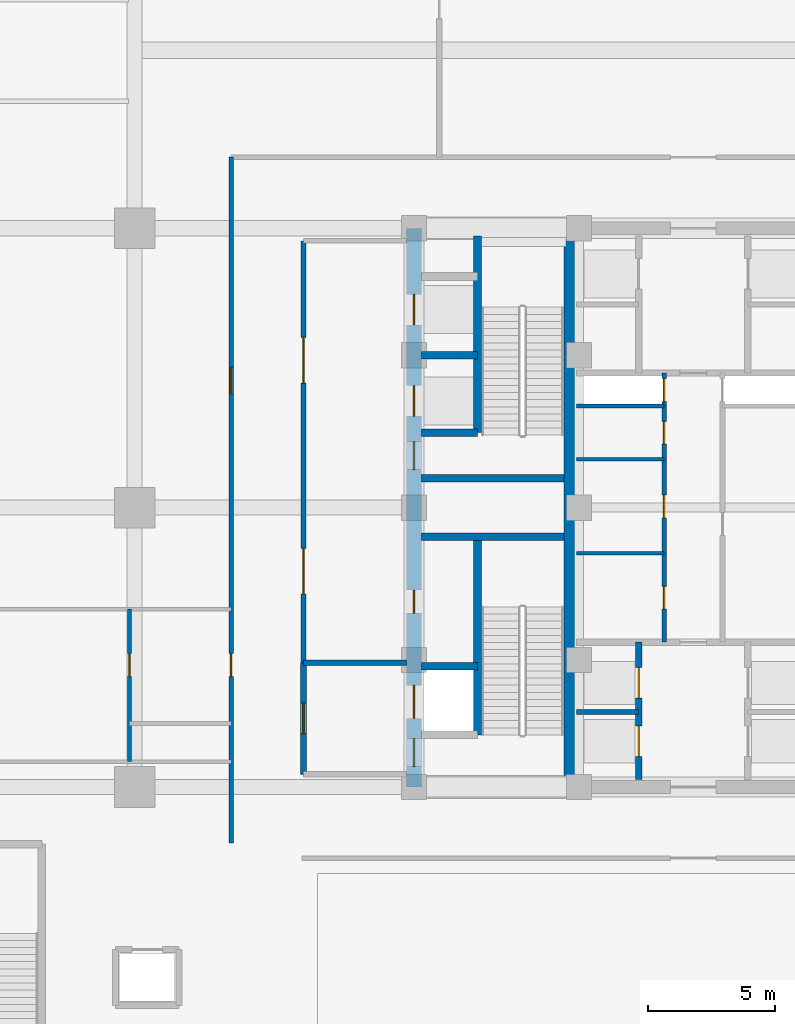
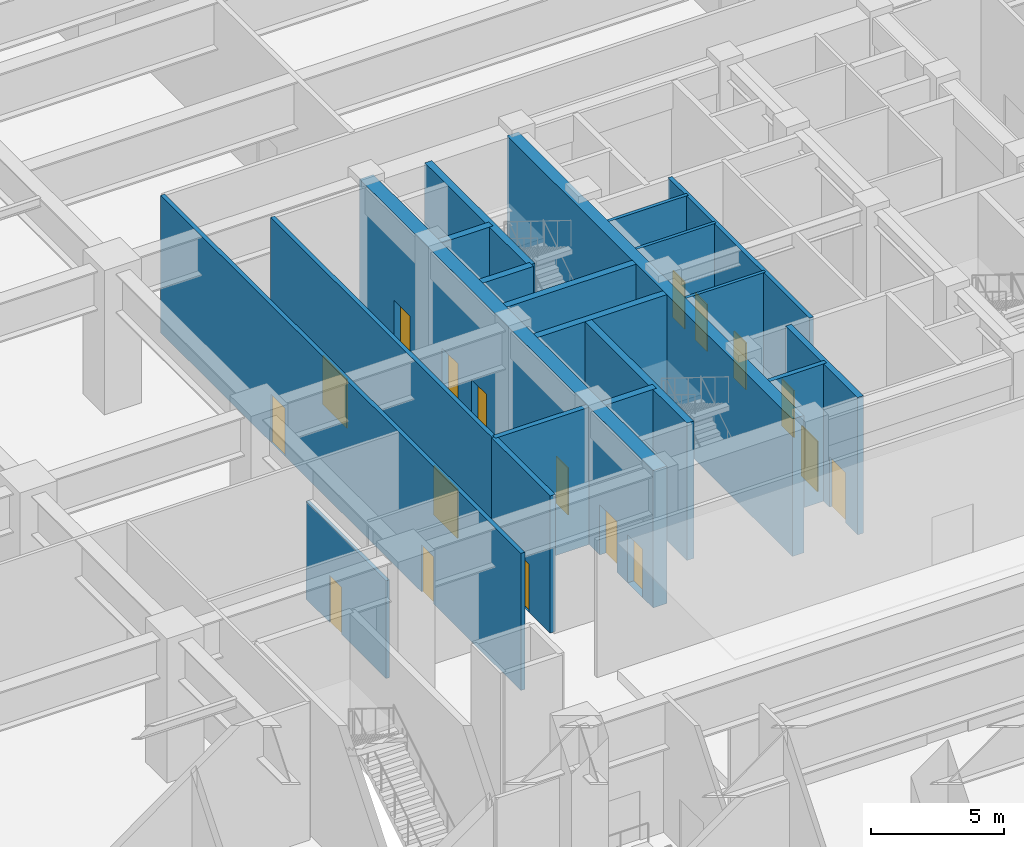
# One storey, part 9 of 21: 20 walls, 18 doors, 18 openings.
"""IFC4 building model written with IfcOpenShell, lengths in metres."""

import ifcopenshell
import ifcopenshell.guid

model = None  # the IFC model being written
_history = None  # IfcOwnerHistory: only IFC2X3 demands one
_inside = {}  # id of a spatial element -> (the spatial element, [elements in it])
_under = {}  # id of a project, library or spatial element -> (it, [spatial elements below it])
_declared = {}  # id of a project -> (the project, [libraries it declares])
_typed = {}  # id of a type object -> (the type object, [elements of that type])
_made_of = {}  # id of a material, layer set ... -> (it, [elements and type objects made of it])


def new_model(schema):
    """Start an empty IFC model of exactly this schema.

    Asked for "IFC4X3", IfcOpenShell would pick the latest addendum, in which some entities
    have other attributes; the version numbers below select the first issue.
    IFC2X3 requires an IfcOwnerHistory on every rooted entity: one is made here for all.
    """
    global model, _history
    if schema == "IFC4X3":
        model = ifcopenshell.file(schema_version=(4, 3, 0, 0))
    else:
        model = ifcopenshell.file(schema=schema)
    _inside.clear()
    _under.clear()
    _declared.clear()
    _typed.clear()
    _made_of.clear()
    _history = None
    if model.schema == "IFC2X3":
        org = make("IfcOrganization", Name="unknown")
        user = make(
            "IfcPersonAndOrganization",
            ThePerson=make("IfcPerson", FamilyName="unknown"),
            TheOrganization=org,
        )
        app = make(
            "IfcApplication",
            ApplicationDeveloper=org,
            Version="unknown",
            ApplicationFullName="unknown",
            ApplicationIdentifier="unknown",
        )
        _history = make(
            "IfcOwnerHistory",
            OwningUser=user,
            OwningApplication=app,
            ChangeAction="ADDED",
            CreationDate=0,
        )
    return model


def make(cls, **values):
    """One entity of the class cls with the attributes given. An attribute that is None is left unset."""
    return model.create_entity(
        cls, **{name: value for name, value in values.items() if value is not None}
    )


def rooted(cls, **values):
    """An entity with a GlobalId (a new one), such as an element, a storey or a relation."""
    return make(cls, GlobalId=ifcopenshell.guid.new(), OwnerHistory=_history, **values)


def si_unit(unit_type, name, prefix=None):
    """IfcSIUnit, for example si_unit("LENGTHUNIT", "METRE", prefix="MILLI")."""
    return make("IfcSIUnit", UnitType=unit_type, Prefix=prefix, Name=name)


def assignment(units):
    """IfcUnitAssignment: the units of a project."""
    return None if units is None else make("IfcUnitAssignment", Units=units)


def point(xyz):
    """IfcCartesianPoint."""
    return None if xyz is None else make("IfcCartesianPoint", Coordinates=xyz)


def direction(xyz):
    """IfcDirection."""
    return None if xyz is None else make("IfcDirection", DirectionRatios=xyz)


def frame(location, z_axis=None, x_axis=None):
    """IfcAxis2Placement3D, a coordinate frame: its origin and axes. An axis left out is left unset."""
    return make(
        "IfcAxis2Placement3D",
        Location=point(location),
        Axis=direction(z_axis),
        RefDirection=direction(x_axis),
    )


def frame_2d(location, x_axis=None):
    """IfcAxis2Placement2D, a coordinate frame in the plane: its origin and x axis."""
    return make(
        "IfcAxis2Placement2D", Location=point(location), RefDirection=direction(x_axis)
    )


def origin():
    """The frame at (0, 0, 0) with its axes left unset."""
    return frame((0.0, 0.0, 0.0))


def place(relative_to, where):
    """IfcLocalPlacement: puts the frame where relative to a parent placement (None: the world)."""
    return make(
        "IfcLocalPlacement", PlacementRelTo=relative_to, RelativePlacement=where
    )


def context(
    kind, dimensions, precision=None, world=None, true_north=None, identifier=None
):
    """IfcGeometricRepresentationContext, for example the 3D "Model" context."""
    return make(
        "IfcGeometricRepresentationContext",
        ContextIdentifier=identifier,
        ContextType=kind,
        CoordinateSpaceDimension=dimensions,
        Precision=precision,
        WorldCoordinateSystem=world,
        TrueNorth=true_north,
    )


def subcontext(parent, identifier, kind, view, scale=None):
    """IfcGeometricRepresentationSubContext, for example "Body" below "Model"."""
    return make(
        "IfcGeometricRepresentationSubContext",
        ContextIdentifier=identifier,
        ContextType=kind,
        ParentContext=parent,
        TargetScale=scale,
        TargetView=view,
    )


def project(units=None, contexts=None):
    """IfcProject with its units and contexts."""
    return rooted(
        "IfcProject",
        Name="project",
        RepresentationContexts=contexts,
        UnitsInContext=assignment(units),
    )


def spatial(cls, under=None, at=None, **own):
    """A site, building, storey or space (cls), placed at a placement, below another one or the project."""
    s = rooted(cls, ObjectPlacement=at, **own)
    if under is not None:
        _under.setdefault(under.id(), (under, []))[1].append(s)
    return s


def profile(cls, at=None, kind="AREA", **sizes):
    """A parametric profile (cls). Its sizes go by their IFC names, for example OverallWidth=200.0."""
    return make(cls, ProfileType=kind, Position=at, **sizes)


def rectangle(**sizes):
    """IfcRectangleProfileDef."""
    return profile("IfcRectangleProfileDef", **sizes)


def extrude(swept, where, along, depth):
    """IfcExtrudedAreaSolid: the profile swept, set in the frame where, extruded along a direction by depth."""
    return make(
        "IfcExtrudedAreaSolid",
        SweptArea=swept,
        Position=where,
        ExtrudedDirection=direction(along),
        Depth=depth,
    )


def shape(context_of_items, identifier, shape_type, items):
    """IfcShapeRepresentation: the items that make up one representation, for example the "Body"."""
    return make(
        "IfcShapeRepresentation",
        ContextOfItems=context_of_items,
        RepresentationIdentifier=identifier,
        RepresentationType=shape_type,
        Items=items,
    )


def source(mapping_origin, context_of_items, identifier, shape_type, items):
    """IfcRepresentationMap: a shape defined once, which mapped items show again and again."""
    return make(
        "IfcRepresentationMap",
        MappingOrigin=mapping_origin,
        MappedRepresentation=shape(context_of_items, identifier, shape_type, items),
    )


def transform(
    local_origin,
    x_axis=None,
    y_axis=None,
    z_axis=None,
    scale=None,
    scale2=None,
    scale3=None,
    uniform=True,
):
    """IfcCartesianTransformationOperator3D, or its non-uniform kind. x_axis, y_axis, z_axis: its Axis1, 2, 3."""
    if uniform:
        return make(
            "IfcCartesianTransformationOperator3D",
            Axis1=direction(x_axis),
            Axis2=direction(y_axis),
            LocalOrigin=point(local_origin),
            Scale=scale,
            Axis3=direction(z_axis),
        )
    return make(
        "IfcCartesianTransformationOperator3DnonUniform",
        Axis1=direction(x_axis),
        Axis2=direction(y_axis),
        LocalOrigin=point(local_origin),
        Scale=scale,
        Axis3=direction(z_axis),
        Scale2=scale2,
        Scale3=scale3,
    )


def mapped(mapping_source, mapping_target):
    """IfcMappedItem: shows the shape of a source again, moved by a transform."""
    return make(
        "IfcMappedItem", MappingSource=mapping_source, MappingTarget=mapping_target
    )


def material(Name=None, Category=None):
    """IfcMaterial."""
    return make("IfcMaterial", Name=Name, Category=Category)


def layer(
    of_material, thickness, ventilated=None, Name=None, Category=None, Priority=None
):
    """IfcMaterialLayer: one layer of a wall or slab, of a material (None: an air gap)."""
    return make(
        "IfcMaterialLayer",
        Material=of_material,
        LayerThickness=thickness,
        IsVentilated=ventilated,
        Name=Name,
        Category=Category,
        Priority=Priority,
    )


def layer_set(layers, Name=None):
    """IfcMaterialLayerSet."""
    return make("IfcMaterialLayerSet", MaterialLayers=layers, LayerSetName=Name)


def made_of(thing, what):
    """Note that an element or type object is made of a material, layer set ...; save() writes the relation."""
    if what is not None:
        _made_of.setdefault(what.id(), (what, []))[1].append(thing)
    return thing


def type_object(cls, material=None, **own):
    """A type object (cls), such as IfcWallType, which elements share."""
    return made_of(rooted(cls, **own), material)


def element(
    cls,
    number,
    at=None,
    inside=None,
    cuts=None,
    type_object=None,
    material=None,
    context=None,
    identifier="Body",
    shape_type=None,
    held_by="IfcProductDefinitionShape",
    body=None,
    shapes=None,
    **own,
):
    """One element of the class cls, such as IfcWall. Its Tag is "e" and its number.

    at: its placement. inside: the storey or other place that contains it. cuts: it is an
    opening in that element (IfcRelVoidsElement). A single representation is given by context,
    identifier, shape_type and body (its items); several are given by shapes. held_by: the class
    of the entity that holds the representations. save() writes the other relations.
    """
    e = rooted(cls, Tag="e%d" % number, ObjectPlacement=at, **own)
    if body is not None:
        shapes = [shape(context, identifier, shape_type, body)]
    if shapes is not None:
        e.Representation = make(held_by, Representations=shapes)
    if inside is not None:
        _inside.setdefault(inside.id(), (inside, []))[1].append(e)
    if cuts is not None:
        rooted(
            "IfcRelVoidsElement", RelatingBuildingElement=cuts, RelatedOpeningElement=e
        )
    if type_object is not None:
        _typed.setdefault(type_object.id(), (type_object, []))[1].append(e)
    return made_of(e, material)


def fill(opening, filler):
    """IfcRelFillsElement: the door or window that sits in an opening."""
    return rooted(
        "IfcRelFillsElement",
        RelatingOpeningElement=opening,
        RelatedBuildingElement=filler,
    )


def aggregate(whole, parts):
    """IfcRelAggregates: a whole, such as a stair, and the parts it consists of."""
    return rooted("IfcRelAggregates", RelatingObject=whole, RelatedObjects=parts)


def save(model, path):
    """Write the relations noted so far, then the file.

    IfcRelAggregates (storeys below a building ...), IfcRelContainedInSpatialStructure (elements
    in a storey), IfcRelDefinesByType, IfcRelAssociatesMaterial and IfcRelDeclares: one each for
    every whole, place, type object, material and project.
    """
    for whole, parts in _under.values():
        aggregate(whole, parts)
    for where, things in _inside.values():
        rooted(
            "IfcRelContainedInSpatialStructure",
            RelatedElements=things,
            RelatingStructure=where,
        )
    for kind, things in _typed.values():
        rooted("IfcRelDefinesByType", RelatedObjects=things, RelatingType=kind)
    for what, things in _made_of.values():
        rooted("IfcRelAssociatesMaterial", RelatedObjects=things, RelatingMaterial=what)
    for by, libraries in _declared.values():
        rooted("IfcRelDeclares", RelatingContext=by, RelatedDefinitions=libraries)
    model.write(path)


model = new_model("IFC4")

# Units and contexts
model_context = context("Model", 3, precision=1e-05, world=origin(), true_north=direction((0.0, 1.0)))
body_context = subcontext(model_context, "Body", "Model", "MODEL_VIEW")
ifc_project = project(units=[si_unit("LENGTHUNIT", "METRE"), si_unit("AREAUNIT", "SQUARE_METRE"), si_unit("VOLUMEUNIT", "CUBIC_METRE"), si_unit("PLANEANGLEUNIT", "RADIAN"), si_unit("MASSUNIT", "GRAM", prefix="KILO")], contexts=[model_context])

# Site, building, storey
site_placement = place(None, origin())
site = spatial("IfcSite", under=ifc_project, at=site_placement, CompositionType="ELEMENT")
building_placement = place(site_placement, origin())
building = spatial("IfcBuilding", under=site, at=building_placement, Name="Khorayat Bourse Tower", CompositionType="ELEMENT")
storey_placement = place(building_placement, origin())
storey = spatial("IfcBuildingStorey", under=building, at=storey_placement, Name="L00", CompositionType="ELEMENT", Elevation=0.0)

# Wall, openings, doors
ifc_material_1 = material(Name="Concrete C60/75", Category="concrete")
ifc_layer_1 = layer(ifc_material_1, 0.60009765625)
ifc_layer_set_1 = layer_set([ifc_layer_1], Name="Concrete C60/75")
wall_type_1 = type_object("IfcWallType", Name="WAL-CORE-600", PredefinedType="SHEAR", material=ifc_layer_set_1)
shared_shape_1 = source(origin(), body_context, "Body", "SweptSolid", [
    extrude(rectangle(XDim=22.0, YDim=0.60009765625, at=frame_2d((11.0, 0.0))), origin(), (0.0, 0.0, 1.0), 6.280029296875),
])
wall_1_placement = place(storey_placement, frame((-11.0, -11.0, 0.0), z_axis=(0.0, 0.0, 1.0), x_axis=(0.0, 1.0, 0.0)))
wall_1 = element("IfcWall", 1, at=wall_1_placement, inside=storey, type_object=wall_type_1, Name="L00 Core Shear Wall CORE-W", PredefinedType="SHEAR", context=body_context, shape_type="MappedRepresentation", body=[
    mapped(shared_shape_1, transform((0.0, 0.0, 0.0), scale=1.0)),
])
shared_shape_2 = source(origin(), body_context, "Body", "SweptSolid", [
    extrude(rectangle(XDim=1.10009765625, YDim=2.199951171875, at=frame_2d((0.550048828125, 1.10009765625))), frame((0.0, 0.31005859375, 0.0), z_axis=(0.0, -1.0, 0.0), x_axis=(1.0, 0.0, 0.0)), (0.0, 0.0, 1.0), 0.6201171875),
])
opening_1_placement = place(wall_1_placement, frame((0.800048828125, 0.0, 0.0)))
opening_1 = element("IfcOpeningElement", 2, at=opening_1_placement, cuts=wall_1, Name="Opening DI-01", PredefinedType="OPENING", context=body_context, shape_type="MappedRepresentation", body=[
    mapped(shared_shape_2, transform((0.0, 0.0, 0.0), scale=1.0)),
])
opening_2_placement = place(wall_1_placement, frame((12.5, 0.0, 0.0)))
opening_2 = element("IfcOpeningElement", 3, at=opening_2_placement, cuts=wall_1, Name="Opening DI-01", PredefinedType="OPENING", context=body_context, shape_type="MappedRepresentation", body=[
    mapped(shared_shape_2, transform((0.0, 0.0, 0.0), scale=1.0)),
])
shared_shape_3 = source(origin(), body_context, "Body", "SweptSolid", [
    extrude(rectangle(XDim=0.89990234375, YDim=2.14990234375, at=frame_2d((0.449951171875, 1.074951171875))), frame((0.0, 0.31005859375, 0.0), z_axis=(0.0, -1.0, 0.0), x_axis=(1.0, 0.0, 0.0)), (0.0, 0.0, 1.0), 0.6201171875),
])
opening_3_placement = place(wall_1_placement, frame((6.85009765625, 0.0, 0.0)))
opening_3 = element("IfcOpeningElement", 4, at=opening_3_placement, cuts=wall_1, Name="Opening DI-06", PredefinedType="OPENING", context=body_context, shape_type="MappedRepresentation", body=[
    mapped(shared_shape_3, transform((0.0, 0.0, 0.0), scale=1.0)),
])
shared_shape_4 = source(origin(), body_context, "Body", "SweptSolid", [
    extrude(rectangle(XDim=1.199951171875, YDim=2.300048828125, at=frame_2d((0.60009765625, 1.14990234375))), frame((0.0, 0.31005859375, 0.0), z_axis=(0.0, -1.0, 0.0), x_axis=(1.0, 0.0, 0.0)), (0.0, 0.0, 1.0), 0.6201171875),
])
opening_4_placement = place(wall_1_placement, frame((14.60009765625, 0.0, 0.0)))
opening_4 = element("IfcOpeningElement", 5, at=opening_4_placement, cuts=wall_1, Name="Opening LD-01", PredefinedType="OPENING", context=body_context, shape_type="MappedRepresentation", body=[
    mapped(shared_shape_4, transform((0.0, 0.0, 0.0), scale=1.0)),
])
opening_5_placement = place(wall_1_placement, frame((18.199951171875, 0.0, 0.0)))
opening_5 = element("IfcOpeningElement", 6, at=opening_5_placement, cuts=wall_1, Name="Opening LD-01", PredefinedType="OPENING", context=body_context, shape_type="MappedRepresentation", body=[
    mapped(shared_shape_4, transform((0.0, 0.0, 0.0), scale=1.0)),
])
shared_shape_5 = source(origin(), body_context, "Body", "SweptSolid", [
    extrude(rectangle(XDim=1.300048828125, YDim=2.300048828125, at=frame_2d((0.64990234375, 1.14990234375))), frame((0.0, 0.31005859375, 0.0), z_axis=(0.0, -1.0, 0.0), x_axis=(1.0, 0.0, 0.0)), (0.0, 0.0, 1.0), 0.6201171875),
])
opening_6_placement = place(wall_1_placement, frame((2.699951171875, 0.0, 0.0)))
opening_6 = element("IfcOpeningElement", 7, at=opening_6_placement, cuts=wall_1, Name="Opening LD-02", PredefinedType="OPENING", context=body_context, shape_type="MappedRepresentation", body=[
    mapped(shared_shape_5, transform((0.0, 0.0, 0.0), scale=1.0)),
])
ifc_material_2 = material(Name="Fire-rated steel acoustic leaf", Category="steel")
door_type_1 = type_object("IfcDoorType", Name="DR-INT-STAIR-1100", OperationType="NOTDEFINED", PredefinedType="DOOR", material=ifc_material_2)
shared_shape_6 = source(origin(), body_context, "Body", "SweptSolid", [
    extrude(rectangle(XDim=1.10009765625, YDim=2.199951171875, at=frame_2d((0.550048828125, 1.10009765625))), frame((0.0, 0.02490234375, 0.0), z_axis=(0.0, -1.0, 0.0), x_axis=(1.0, 0.0, 0.0)), (0.0, 0.0, 1.0), 0.050048828125),
])
door_1_placement = place(opening_1_placement, origin())
door_1 = element("IfcDoor", 8, at=door_1_placement, inside=storey, type_object=door_type_1, Name="L00 Exit Stair 1 Door", OperationType="SINGLE_SWING_LEFT", OverallHeight=2.199951171875, OverallWidth=1.10009765625, PredefinedType="DOOR", context=body_context, shape_type="MappedRepresentation", body=[
    mapped(shared_shape_6, transform((0.0, 0.0, 0.0), scale=1.0)),
])
fill(opening_1, door_1)
door_2_placement = place(opening_2_placement, origin())
door_2 = element("IfcDoor", 9, at=door_2_placement, inside=storey, type_object=door_type_1, Name="L00 Exit Stair 2 Door", OperationType="SINGLE_SWING_LEFT", OverallHeight=2.199951171875, OverallWidth=1.10009765625, PredefinedType="DOOR", context=body_context, shape_type="MappedRepresentation", body=[
    mapped(shared_shape_6, transform((0.0, 0.0, 0.0), scale=1.0)),
])
fill(opening_2, door_2)
ifc_material_3 = material(Name="Moisture-resistant laminate washroom door")
door_type_2 = type_object("IfcDoorType", Name="DR-INT-WC-900", OperationType="NOTDEFINED", PredefinedType="DOOR", material=ifc_material_3)
shared_shape_7 = source(origin(), body_context, "Body", "SweptSolid", [
    extrude(rectangle(XDim=0.89990234375, YDim=2.14990234375, at=frame_2d((0.449951171875, 1.074951171875))), frame((0.0, 0.02490234375, 0.0), z_axis=(0.0, -1.0, 0.0), x_axis=(1.0, 0.0, 0.0)), (0.0, 0.0, 1.0), 0.050048828125),
])
door_3_placement = place(opening_3_placement, origin())
door_3 = element("IfcDoor", 10, at=door_3_placement, inside=storey, type_object=door_type_2, Name="L00 Electrical Switch Plant Room Door", OperationType="SINGLE_SWING_RIGHT", OverallHeight=2.14990234375, OverallWidth=0.89990234375, PredefinedType="DOOR", context=body_context, shape_type="MappedRepresentation", body=[
    mapped(shared_shape_7, transform((0.0, 0.0, 0.0), scale=1.0)),
])
fill(opening_3, door_3)
ifc_material_4 = material(Name="Brushed bronze stainless-steel sliding door", Category="steel")
door_type_3 = type_object("IfcDoorType", Name="DR-LIFT-PASS-1200", OperationType="NOTDEFINED", PredefinedType="DOOR", material=ifc_material_4)
shared_shape_8 = source(origin(), body_context, "Body", "SweptSolid", [
    extrude(rectangle(XDim=1.199951171875, YDim=2.300048828125, at=frame_2d((0.60009765625, 1.14990234375))), frame((0.0, 0.02490234375, 0.0), z_axis=(0.0, -1.0, 0.0), x_axis=(1.0, 0.0, 0.0)), (0.0, 0.0, 1.0), 0.050048828125),
])
door_4_placement = place(opening_4_placement, origin())
door_4 = element("IfcDoor", 11, at=door_4_placement, inside=storey, type_object=door_type_3, Name="L00 Lift PL-H1 Sliding Landing Door", OperationType="SLIDING_TO_LEFT", OverallHeight=2.300048828125, OverallWidth=1.199951171875, PredefinedType="DOOR", context=body_context, shape_type="MappedRepresentation", body=[
    mapped(shared_shape_8, transform((0.0, 0.0, 0.0), scale=1.0)),
])
fill(opening_4, door_4)
door_5_placement = place(opening_5_placement, origin())
door_5 = element("IfcDoor", 12, at=door_5_placement, inside=storey, type_object=door_type_3, Name="L00 Lift PL-H2 Sliding Landing Door", OperationType="SLIDING_TO_LEFT", OverallHeight=2.300048828125, OverallWidth=1.199951171875, PredefinedType="DOOR", context=body_context, shape_type="MappedRepresentation", body=[
    mapped(shared_shape_8, transform((0.0, 0.0, 0.0), scale=1.0)),
])
fill(opening_5, door_5)
ifc_material_5 = material(Name="Fire-rated stainless-steel sliding landing door", Category="steel")
door_type_4 = type_object("IfcDoorType", Name="DR-LIFT-FF-1300", OperationType="NOTDEFINED", PredefinedType="DOOR", material=ifc_material_5)
shared_shape_9 = source(origin(), body_context, "Body", "SweptSolid", [
    extrude(rectangle(XDim=1.300048828125, YDim=2.300048828125, at=frame_2d((0.64990234375, 1.14990234375))), frame((0.0, 0.02490234375, 0.0), z_axis=(0.0, -1.0, 0.0), x_axis=(1.0, 0.0, 0.0)), (0.0, 0.0, 1.0), 0.050048828125),
])
door_6_placement = place(opening_6_placement, origin())
door_6 = element("IfcDoor", 13, at=door_6_placement, inside=storey, type_object=door_type_4, Name="L00 Lift FFL-01 Sliding Landing Door", OperationType="SLIDING_TO_LEFT", OverallHeight=2.300048828125, OverallWidth=1.300048828125, PredefinedType="DOOR", context=body_context, shape_type="MappedRepresentation", body=[
    mapped(shared_shape_9, transform((0.0, 0.0, 0.0), scale=1.0)),
])
fill(opening_6, door_6)

# Walls
ifc_material_6 = material(Name="Concrete C52/65", Category="concrete")
ifc_layer_2 = layer(ifc_material_6, 0.5)
ifc_layer_set_2 = layer_set([ifc_layer_2], Name="Concrete C52/65")
wall_type_2 = type_object("IfcWallType", Name="WAL-CORE-500", PredefinedType="SHEAR", material=ifc_layer_set_2)
shared_shape_10 = source(origin(), body_context, "Body", "SweptSolid", [
    extrude(rectangle(XDim=21.39990234375, YDim=0.5, at=frame_2d((10.699951171875, 0.0))), origin(), (0.0, 0.0, 1.0), 6.280029296875),
])
wall_2_placement = place(storey_placement, frame((-4.85009765625, -10.699951171875, 0.0), z_axis=(0.0, 0.0, 1.0), x_axis=(0.0, 1.0, 0.0)))
element("IfcWall", 14, at=wall_2_placement, inside=storey, type_object=wall_type_2, Name="L00 Core Shear Wall PIER-W", PredefinedType="SHEAR", context=body_context, shape_type="MappedRepresentation", body=[
    mapped(shared_shape_10, transform((0.0, 0.0, 0.0), scale=1.0)),
])
ifc_material_7 = material(Name="Concrete C50/60", Category="concrete")
ifc_layer_3 = layer(ifc_material_7, 0.300048828125)
ifc_layer_set_3 = layer_set([ifc_layer_3], Name="Concrete C50/60")
wall_type_3 = type_object("IfcWallType", Name="WAL-SHAFT-300", PredefinedType="SHEAR", material=ifc_layer_set_3)
shared_shape_11 = source(origin(), body_context, "Body", "SweptSolid", [
    extrude(rectangle(XDim=5.599853515625, YDim=0.300048828125, at=frame_2d((2.7998046875, 0.0))), origin(), (0.0, 0.0, 1.0), 6.280029296875),
])
for number, where, z_axis, x_axis, name in (
    (15, (-10.699951171875, -1.14990234375, 0.0), (0.0, 0.0, 1.0), (1.0, 0.0, 0.0), "L00 Core Shear Wall ST1-DIV"),
    (16, (-10.699951171875, 1.14990234375, 0.0), (0.0, 0.0, 1.0), (1.0, 0.0, 0.0), "L00 Core Shear Wall ST2-DIV"),
):
    element("IfcWall", number, at=place(storey_placement, frame(where, z_axis=z_axis, x_axis=x_axis)), inside=storey, type_object=wall_type_3, Name=name, PredefinedType="SHEAR", context=body_context, shape_type="MappedRepresentation", body=[
        mapped(shared_shape_11, transform((0.0, 0.0, 0.0), scale=1.0)),
    ])
shared_shape_12 = source(origin(), body_context, "Body", "SweptSolid", [
    extrude(rectangle(XDim=7.800048828125, YDim=0.300048828125, at=frame_2d((3.89990234375, 0.0))), origin(), (0.0, 0.0, 1.0), 6.280029296875),
])
wall_3_placement = place(storey_placement, frame((-8.5, -8.949951171875, 0.0), z_axis=(0.0, 0.0, 1.0), x_axis=(0.0, 1.0, 0.0)))
element("IfcWall", 17, at=wall_3_placement, inside=storey, type_object=wall_type_3, Name="L00 Partition WAL-L00-WPIER-SP", PredefinedType="SHEAR", context=body_context, shape_type="MappedRepresentation", body=[
    mapped(shared_shape_12, transform((0.0, 0.0, 0.0), scale=1.0)),
])
shared_shape_13 = source(origin(), body_context, "Body", "SweptSolid", [
    extrude(rectangle(XDim=2.199951171875, YDim=0.300048828125, at=frame_2d((1.10009765625, 0.0))), origin(), (0.0, 0.0, 1.0), 6.280029296875),
])
for number, where, z_axis, x_axis, name in (
    (18, (-10.699951171875, -6.25, 0.0), (0.0, 0.0, 1.0), (1.0, 0.0, 0.0), "L00 Partition WAL-L00-WPIER-FF1N"),
    (19, (-10.699951171875, 2.949951171875, 0.0), (0.0, 0.0, 1.0), (1.0, 0.0, 0.0), "L00 Partition WAL-L00-WPIER-H1S"),
    (20, (-10.699951171875, 6.0, 0.0), (0.0, 0.0, 1.0), (1.0, 0.0, 0.0), "L00 Partition WAL-L00-WPIER-H12"),
):
    element("IfcWall", number, at=place(storey_placement, frame(where, z_axis=z_axis, x_axis=x_axis)), inside=storey, type_object=wall_type_3, Name=name, PredefinedType="SHEAR", context=body_context, shape_type="MappedRepresentation", body=[
        mapped(shared_shape_13, transform((0.0, 0.0, 0.0), scale=1.0)),
    ])
shared_shape_14 = source(origin(), body_context, "Body", "SweptSolid", [
    extrude(rectangle(XDim=7.75, YDim=0.300048828125, at=frame_2d((3.875, 0.0))), origin(), (0.0, 0.0, 1.0), 6.280029296875),
])
wall_4_placement = place(storey_placement, frame((-8.5, 2.949951171875, 0.0), z_axis=(0.0, 0.0, 1.0), x_axis=(0.0, 1.0, 0.0)))
element("IfcWall", 21, at=wall_4_placement, inside=storey, type_object=wall_type_3, Name="L00 Partition WAL-L00-WPIER-ST2S", PredefinedType="SHEAR", context=body_context, shape_type="MappedRepresentation", body=[
    mapped(shared_shape_14, transform((0.0, 0.0, 0.0), scale=1.0)),
])
ifc_material_8 = material(Name="Aerated concrete blockwork", Category="masonry")
ifc_layer_4 = layer(ifc_material_8, 0.219970703125)
ifc_layer_set_4 = layer_set([ifc_layer_4], Name="Aerated concrete blockwork")
wall_type_4 = type_object("IfcWallType", Name="WAL-PART-FF-220", PredefinedType="PARTITIONING", material=ifc_layer_set_4)
shared_shape_15 = source(origin(), body_context, "Body", "SweptSolid", [
    extrude(rectangle(XDim=4.050048828125, YDim=0.219970703125, at=frame_2d((2.02490234375, 0.0))), origin(), (0.0, 0.0, 1.0), 6.280029296875),
])
wall_5_placement = place(storey_placement, frame((-15.35009765625, -6.10009765625, 0.0), z_axis=(0.0, 0.0, 1.0), x_axis=(1.0, 0.0, 0.0)))
element("IfcWall", 22, at=wall_5_placement, inside=storey, type_object=wall_type_4, Name="L00 Partition WAL-L00-FFLW-N", PredefinedType="PARTITIONING", context=body_context, shape_type="MappedRepresentation", body=[
    mapped(shared_shape_15, transform((0.0, 0.0, 0.0), scale=1.0)),
])

# Wall, opening, door
shared_shape_16 = source(origin(), body_context, "Body", "SweptSolid", [
    extrude(rectangle(XDim=4.39990234375, YDim=0.219970703125, at=frame_2d((2.199951171875, 0.0))), origin(), (0.0, 0.0, 1.0), 6.280029296875),
])
wall_6_placement = place(storey_placement, frame((-15.35009765625, -10.5, 0.0), z_axis=(0.0, 0.0, 1.0), x_axis=(0.0, 1.0, 0.0)))
wall_6 = element("IfcWall", 23, at=wall_6_placement, inside=storey, type_object=wall_type_4, Name="L00 Partition WAL-L00-FFLW-W", PredefinedType="PARTITIONING", context=body_context, shape_type="MappedRepresentation", body=[
    mapped(shared_shape_16, transform((0.0, 0.0, 0.0), scale=1.0)),
])
shared_shape_17 = source(origin(), body_context, "Body", "SweptSolid", [
    extrude(rectangle(XDim=1.199951171875, YDim=2.199951171875, at=frame_2d((0.60009765625, 1.10009765625))), frame((0.0, 0.119873046875, 0.0), z_axis=(0.0, -1.0, 0.0), x_axis=(1.0, 0.0, 0.0)), (0.0, 0.0, 1.0), 0.239990234375),
])
opening_7_placement = place(wall_6_placement, frame((1.60009765625, 0.0, 0.0)))
opening_7 = element("IfcOpeningElement", 24, at=opening_7_placement, cuts=wall_6, Name="Opening DI-02", PredefinedType="OPENING", context=body_context, shape_type="MappedRepresentation", body=[
    mapped(shared_shape_17, transform((0.0, 0.0, 0.0), scale=1.0)),
])
ifc_material_9 = material(Name="Fire-rated steel double-seal leaf", Category="steel")
door_type_5 = type_object("IfcDoorType", Name="DR-INT-FFLOBBY-1200", OperationType="NOTDEFINED", PredefinedType="DOOR", material=ifc_material_9)
shared_shape_18 = source(origin(), body_context, "Body", "SweptSolid", [
    extrude(rectangle(XDim=1.199951171875, YDim=2.199951171875, at=frame_2d((0.60009765625, 1.10009765625))), frame((0.0, 0.02490234375, 0.0), z_axis=(0.0, -1.0, 0.0), x_axis=(1.0, 0.0, 0.0)), (0.0, 0.0, 1.0), 0.050048828125),
])
door_7_placement = place(opening_7_placement, origin())
door_7 = element("IfcDoor", 25, at=door_7_placement, inside=storey, type_object=door_type_5, Name="L00 West Firefighting Lobby Door", OperationType="SINGLE_SWING_LEFT", OverallHeight=2.199951171875, OverallWidth=1.199951171875, PredefinedType="DOOR", context=body_context, shape_type="MappedRepresentation", body=[
    mapped(shared_shape_18, transform((0.0, 0.0, 0.0), scale=1.0)),
])
fill(opening_7, door_7)

# Wall, openings, doors
ifc_material_10 = material(Name="Gypsum plasterboard acoustic stud wall")
ifc_layer_5 = layer(ifc_material_10, 0.179931640625)
ifc_layer_set_5 = layer_set([ifc_layer_5], Name="Gypsum plasterboard acoustic stud wall")
wall_type_5 = type_object("IfcWallType", Name="WAL-PART-CORR-180", PredefinedType="PARTITIONING", material=ifc_layer_set_5)
shared_shape_19 = source(origin(), body_context, "Body", "SweptSolid", [
    extrude(rectangle(XDim=16.60009765625, YDim=0.179931640625, at=frame_2d((8.300048828125, 0.0))), origin(), (0.0, 0.0, 1.0), 6.280029296875),
])
wall_7_placement = place(storey_placement, frame((-15.35009765625, -6.10009765625, 0.0), z_axis=(0.0, 0.0, 1.0), x_axis=(0.0, 1.0, 0.0)))
wall_7 = element("IfcWall", 26, at=wall_7_placement, inside=storey, type_object=wall_type_5, Name="L00 Partition WAL-L00-WLOB-W", PredefinedType="PARTITIONING", context=body_context, shape_type="MappedRepresentation", body=[
    mapped(shared_shape_19, transform((0.0, 0.0, 0.0), scale=1.0)),
])
shared_shape_20 = source(origin(), body_context, "Body", "SweptSolid", [
    extrude(rectangle(XDim=1.800048828125, YDim=2.25, at=frame_2d((0.89990234375, 1.125))), frame((0.0, 0.099853515625, 0.0), z_axis=(0.0, -1.0, 0.0), x_axis=(1.0, 0.0, 0.0)), (0.0, 0.0, 1.0), 0.199951171875),
])
opening_8_placement = place(wall_7_placement, frame((2.699951171875, 0.0, 0.0)))
opening_8 = element("IfcOpeningElement", 27, at=opening_8_placement, cuts=wall_7, Name="Opening DI-03", PredefinedType="OPENING", context=body_context, shape_type="MappedRepresentation", body=[
    mapped(shared_shape_20, transform((0.0, 0.0, 0.0), scale=1.0)),
])
opening_9_placement = place(wall_7_placement, frame((11.0, 0.0, 0.0)))
opening_9 = element("IfcOpeningElement", 28, at=opening_9_placement, cuts=wall_7, Name="Opening DI-03", PredefinedType="OPENING", context=body_context, shape_type="MappedRepresentation", body=[
    mapped(shared_shape_20, transform((0.0, 0.0, 0.0), scale=1.0)),
])
ifc_material_11 = material(Name="Fire-rated hardwood vision-panel double leaf", Category="wood")
door_type_6 = type_object("IfcDoorType", Name="DR-INT-CORR-1800", OperationType="NOTDEFINED", PredefinedType="DOOR", material=ifc_material_11)
shared_shape_21 = source(origin(), body_context, "Body", "SweptSolid", [
    extrude(rectangle(XDim=1.800048828125, YDim=2.25, at=frame_2d((0.89990234375, 1.125))), frame((0.0, 0.02490234375, 0.0), z_axis=(0.0, -1.0, 0.0), x_axis=(1.0, 0.0, 0.0)), (0.0, 0.0, 1.0), 0.050048828125),
])
door_8_placement = place(opening_8_placement, origin())
door_8 = element("IfcDoor", 29, at=door_8_placement, inside=storey, type_object=door_type_6, Name="L00 West Core Lobby South Door", OperationType="SINGLE_SWING_LEFT", OverallHeight=2.25, OverallWidth=1.800048828125, PredefinedType="DOOR", context=body_context, shape_type="MappedRepresentation", body=[
    mapped(shared_shape_21, transform((0.0, 0.0, 0.0), scale=1.0)),
])
fill(opening_8, door_8)
door_9_placement = place(opening_9_placement, origin())
door_9 = element("IfcDoor", 30, at=door_9_placement, inside=storey, type_object=door_type_6, Name="L00 West Core Lobby North Door", OperationType="SINGLE_SWING_RIGHT", OverallHeight=2.25, OverallWidth=1.800048828125, PredefinedType="DOOR", context=body_context, shape_type="MappedRepresentation", body=[
    mapped(shared_shape_21, transform((0.0, 0.0, 0.0), scale=1.0)),
])
fill(opening_9, door_9)

# Wall
ifc_material_12 = material(Name="Gypsum plasterboard twin-frame partition")
ifc_layer_6 = layer(ifc_material_12, 0.14990234375)
ifc_layer_set_6 = layer_set([ifc_layer_6], Name="Gypsum plasterboard twin-frame partition")
wall_type_6 = type_object("IfcWallType", Name="WAL-PART-SUITE-150", PredefinedType="PARTITIONING", material=ifc_layer_set_6)
shared_shape_22 = source(origin(), body_context, "Body", "SweptSolid", [
    extrude(rectangle(XDim=3.4501953125, YDim=0.14990234375, at=frame_2d((1.72509765625, 0.0))), origin(), (0.0, 0.0, 1.0), 6.280029296875),
])
wall_8_placement = place(storey_placement, frame((-4.60009765625, 4.0, 0.0), z_axis=(0.0, 0.0, 1.0), x_axis=(1.0, 0.0, 0.0)))
element("IfcWall", 31, at=wall_8_placement, inside=storey, type_object=wall_type_6, Name="L00 Partition WAL-L00-CRSW-S", PredefinedType="PARTITIONING", context=body_context, shape_type="MappedRepresentation", body=[
    mapped(shared_shape_22, transform((0.0, 0.0, 0.0), scale=1.0)),
])

# Wall, openings, doors
shared_shape_23 = source(origin(), body_context, "Body", "SweptSolid", [
    extrude(rectangle(XDim=5.39990234375, YDim=0.25, at=frame_2d((2.699951171875, 0.0))), origin(), (0.0, 0.0, 1.0), 6.280029296875),
])
wall_9_placement = place(storey_placement, frame((-2.14990234375, -10.699951171875, 0.0), z_axis=(0.0, 0.0, 1.0), x_axis=(0.0, 1.0, 0.0)))
wall_9 = element("IfcWall", 32, at=wall_9_placement, inside=storey, type_object=wall_type_3, Name="L00 Partition WAL-L00-B1-W", PredefinedType="SHEAR", context=body_context, shape_type="MappedRepresentation", body=[
    mapped(shared_shape_23, transform((0.0, 0.0, 0.0), scale=1.0)),
])
shared_shape_24 = source(origin(), body_context, "Body", "SweptSolid", [
    extrude(rectangle(XDim=1.199951171875, YDim=2.300048828125, at=frame_2d((0.60009765625, 1.14990234375))), frame((0.0, 0.135009765625, 0.0), z_axis=(0.0, -1.0, 0.0), x_axis=(1.0, 0.0, 0.0)), (0.0, 0.0, 1.0), 0.27001953125),
])
opening_10_placement = place(wall_9_placement, frame((0.89990234375, 0.0, 0.0)))
opening_10 = element("IfcOpeningElement", 33, at=opening_10_placement, cuts=wall_9, Name="Opening LD-01", PredefinedType="OPENING", context=body_context, shape_type="MappedRepresentation", body=[
    mapped(shared_shape_24, transform((0.0, 0.0, 0.0), scale=1.0)),
])
opening_11_placement = place(wall_9_placement, frame((3.199951171875, 0.0, 0.0)))
opening_11 = element("IfcOpeningElement", 34, at=opening_11_placement, cuts=wall_9, Name="Opening LD-01", PredefinedType="OPENING", context=body_context, shape_type="MappedRepresentation", body=[
    mapped(shared_shape_24, transform((0.0, 0.0, 0.0), scale=1.0)),
])
door_10_placement = place(opening_10_placement, origin())
door_10 = element("IfcDoor", 35, at=door_10_placement, inside=storey, type_object=door_type_3, Name="L00 Lift PL-L1 Sliding Landing Door", OperationType="SLIDING_TO_LEFT", OverallHeight=2.300048828125, OverallWidth=1.199951171875, PredefinedType="DOOR", context=body_context, shape_type="MappedRepresentation", body=[
    mapped(shared_shape_8, transform((0.0, 0.0, 0.0), scale=1.0)),
])
fill(opening_10, door_10)
door_11_placement = place(opening_11_placement, origin())
door_11 = element("IfcDoor", 36, at=door_11_placement, inside=storey, type_object=door_type_3, Name="L00 Lift PL-L3 Sliding Landing Door", OperationType="SLIDING_TO_LEFT", OverallHeight=2.300048828125, OverallWidth=1.199951171875, PredefinedType="DOOR", context=body_context, shape_type="MappedRepresentation", body=[
    mapped(shared_shape_8, transform((0.0, 0.0, 0.0), scale=1.0)),
])
fill(opening_11, door_11)

# Walls
shared_shape_25 = source(origin(), body_context, "Body", "SweptSolid", [
    extrude(rectangle(XDim=2.4501953125, YDim=0.199951171875, at=frame_2d((1.22509765625, 0.0))), origin(), (0.0, 0.0, 1.0), 6.280029296875),
])
wall_10_placement = place(storey_placement, frame((-4.60009765625, -8.050048828125, 0.0), z_axis=(0.0, 0.0, 1.0), x_axis=(1.0, 0.0, 0.0)))
element("IfcWall", 37, at=wall_10_placement, inside=storey, type_object=wall_type_3, Name="L00 Partition WAL-L00-B1-MW", PredefinedType="SHEAR", context=body_context, shape_type="MappedRepresentation", body=[
    mapped(shared_shape_25, transform((0.0, 0.0, 0.0), scale=1.0)),
])
ifc_material_13 = material(Name="Moisture-resistant masonry partition", Category="masonry")
ifc_layer_7 = layer(ifc_material_13, 0.139892578125)
ifc_layer_set_7 = layer_set([ifc_layer_7], Name="Moisture-resistant masonry partition")
wall_type_7 = type_object("IfcWallType", Name="WAL-PART-WET-140", PredefinedType="PARTITIONING", material=ifc_layer_set_7)
shared_shape_26 = source(origin(), body_context, "Body", "SweptSolid", [
    extrude(rectangle(XDim=3.4501953125, YDim=0.139892578125, at=frame_2d((1.72509765625, 0.0))), origin(), (0.0, 0.0, 1.0), 6.280029296875),
])
for number, where, z_axis, x_axis, name in (
    (38, (-4.60009765625, -1.800048828125, 0.0), (0.0, 0.0, 1.0), (1.0, 0.0, 0.0), "L00 Partition WAL-L00-CMW-D1"),
    (39, (-4.60009765625, 1.89990234375, 0.0), (0.0, 0.0, 1.0), (1.0, 0.0, 0.0), "L00 Partition WAL-L00-CMW-D2"),
):
    element("IfcWall", number, at=place(storey_placement, frame(where, z_axis=z_axis, x_axis=x_axis)), inside=storey, type_object=wall_type_7, Name=name, PredefinedType="PARTITIONING", context=body_context, shape_type="MappedRepresentation", body=[
        mapped(shared_shape_26, transform((0.0, 0.0, 0.0), scale=1.0)),
    ])

# Wall, openings, doors
shared_shape_27 = source(origin(), body_context, "Body", "SweptSolid", [
    extrude(rectangle(XDim=10.60009765625, YDim=0.179931640625, at=frame_2d((5.300048828125, 0.0))), origin(), (0.0, 0.0, 1.0), 6.280029296875),
])
wall_11_placement = place(storey_placement, frame((-1.14990234375, -5.300048828125, 0.0), z_axis=(0.0, 0.0, 1.0), x_axis=(0.0, 1.0, 0.0)))
wall_11 = element("IfcWall", 40, at=wall_11_placement, inside=storey, type_object=wall_type_5, Name="L00 Partition WAL-L00-CMW-L", PredefinedType="PARTITIONING", context=body_context, shape_type="MappedRepresentation", body=[
    mapped(shared_shape_27, transform((0.0, 0.0, 0.0), scale=1.0)),
])
shared_shape_28 = source(origin(), body_context, "Body", "SweptSolid", [
    extrude(rectangle(XDim=0.89990234375, YDim=2.14990234375, at=frame_2d((0.449951171875, 1.074951171875))), frame((0.0, 0.099853515625, 0.0), z_axis=(0.0, -1.0, 0.0), x_axis=(1.0, 0.0, 0.0)), (0.0, 0.0, 1.0), 0.199951171875),
])
opening_12_placement = place(wall_11_placement, frame((1.300048828125, 0.0, 0.0)))
opening_12 = element("IfcOpeningElement", 41, at=opening_12_placement, cuts=wall_11, Name="Opening DI-06", PredefinedType="OPENING", context=body_context, shape_type="MappedRepresentation", body=[
    mapped(shared_shape_28, transform((0.0, 0.0, 0.0), scale=1.0)),
])
opening_13_placement = place(wall_11_placement, frame((4.89990234375, 0.0, 0.0)))
opening_13 = element("IfcOpeningElement", 42, at=opening_13_placement, cuts=wall_11, Name="Opening DI-06", PredefinedType="OPENING", context=body_context, shape_type="MappedRepresentation", body=[
    mapped(shared_shape_28, transform((0.0, 0.0, 0.0), scale=1.0)),
])
opening_14_placement = place(wall_11_placement, frame((7.800048828125, 0.0, 0.0)))
opening_14 = element("IfcOpeningElement", 43, at=opening_14_placement, cuts=wall_11, Name="Opening DI-06", PredefinedType="OPENING", context=body_context, shape_type="MappedRepresentation", body=[
    mapped(shared_shape_28, transform((0.0, 0.0, 0.0), scale=1.0)),
])
opening_15_placement = place(wall_11_placement, frame((9.47509765625, 0.0, 0.0)))
opening_15 = element("IfcOpeningElement", 44, at=opening_15_placement, cuts=wall_11, Name="Opening DI-06", PredefinedType="OPENING", context=body_context, shape_type="MappedRepresentation", body=[
    mapped(shared_shape_28, transform((0.0, 0.0, 0.0), scale=1.0)),
])
door_12_placement = place(opening_12_placement, origin())
door_12 = element("IfcDoor", 45, at=door_12_placement, inside=storey, type_object=door_type_2, Name="L00 Male Core Washroom Door", OperationType="SINGLE_SWING_RIGHT", OverallHeight=2.14990234375, OverallWidth=0.89990234375, PredefinedType="DOOR", context=body_context, shape_type="MappedRepresentation", body=[
    mapped(shared_shape_7, transform((0.0, 0.0, 0.0), scale=1.0)),
])
fill(opening_12, door_12)
door_13_placement = place(opening_13_placement, origin())
door_13 = element("IfcDoor", 46, at=door_13_placement, inside=storey, type_object=door_type_2, Name="L00 AHU Fan Plant Room Door", OperationType="SINGLE_SWING_LEFT", OverallHeight=2.14990234375, OverallWidth=0.89990234375, PredefinedType="DOOR", context=body_context, shape_type="MappedRepresentation", body=[
    mapped(shared_shape_7, transform((0.0, 0.0, 0.0), scale=1.0)),
])
fill(opening_13, door_13)
door_14_placement = place(opening_14_placement, origin())
door_14 = element("IfcDoor", 47, at=door_14_placement, inside=storey, type_object=door_type_2, Name="L00 Janitor Store Door", OperationType="SINGLE_SWING_RIGHT", OverallHeight=2.14990234375, OverallWidth=0.89990234375, PredefinedType="DOOR", context=body_context, shape_type="MappedRepresentation", body=[
    mapped(shared_shape_7, transform((0.0, 0.0, 0.0), scale=1.0)),
])
fill(opening_14, door_14)
door_15_placement = place(opening_15_placement, origin())
door_15 = element("IfcDoor", 48, at=door_15_placement, inside=storey, type_object=door_type_2, Name="L00 West Core Riser Door", OperationType="SINGLE_SWING_LEFT", OverallHeight=2.14990234375, OverallWidth=0.89990234375, PredefinedType="DOOR", context=body_context, shape_type="MappedRepresentation", body=[
    mapped(shared_shape_7, transform((0.0, 0.0, 0.0), scale=1.0)),
])
fill(opening_15, door_15)

# Wall, opening, door
shared_shape_29 = source(origin(), body_context, "Body", "SweptSolid", [
    extrude(rectangle(XDim=6.0, YDim=0.139892578125, at=frame_2d((3.0, 0.0))), origin(), (0.0, 0.0, 1.0), 4.47998046875),
])
wall_12_placement = place(storey_placement, frame((-22.199951171875, -10.0, 0.0), z_axis=(0.0, 0.0, 1.0), x_axis=(0.0, 1.0, 0.0)))
wall_12 = element("IfcWall", 49, at=wall_12_placement, inside=storey, type_object=wall_type_7, Name="L00 Partition WAL-L00-WF-4", PredefinedType="PARTITIONING", context=body_context, shape_type="MappedRepresentation", body=[
    mapped(shared_shape_29, transform((0.0, 0.0, 0.0), scale=1.0)),
])
shared_shape_30 = source(origin(), body_context, "Body", "SweptSolid", [
    extrude(rectangle(XDim=0.89990234375, YDim=2.14990234375, at=frame_2d((0.449951171875, 1.074951171875))), frame((0.0, 0.079833984375, 0.0), z_axis=(0.0, -1.0, 0.0), x_axis=(1.0, 0.0, 0.0)), (0.0, 0.0, 1.0), 0.159912109375),
])
opening_16_placement = place(wall_12_placement, frame((3.35009765625, 0.0, 0.0)))
opening_16 = element("IfcOpeningElement", 50, at=opening_16_placement, cuts=wall_12, Name="Opening DI-06", PredefinedType="OPENING", context=body_context, shape_type="MappedRepresentation", body=[
    mapped(shared_shape_30, transform((0.0, 0.0, 0.0), scale=1.0)),
])
door_16_placement = place(opening_16_placement, origin())
door_16 = element("IfcDoor", 51, at=door_16_placement, inside=storey, type_object=door_type_2, Name="L00 Custody Store Door", OperationType="SINGLE_SWING_LEFT", OverallHeight=2.14990234375, OverallWidth=0.89990234375, PredefinedType="DOOR", context=body_context, shape_type="MappedRepresentation", body=[
    mapped(shared_shape_7, transform((0.0, 0.0, 0.0), scale=1.0)),
])
fill(opening_16, door_16)

# Wall, openings, doors
shared_shape_31 = source(origin(), body_context, "Body", "SweptSolid", [
    extrude(rectangle(XDim=27.0, YDim=0.179931640625, at=frame_2d((13.5, 0.0))), origin(), (0.0, 0.0, 1.0), 6.280029296875),
])
wall_13_placement = place(storey_placement, frame((-18.199951171875, -13.199951171875, 0.0), z_axis=(0.0, 0.0, 1.0), x_axis=(0.0, 1.0, 0.0)))
wall_13 = element("IfcWall", 52, at=wall_13_placement, inside=storey, type_object=wall_type_5, Name="L00 Partition WAL-L00-PCORRW-W", PredefinedType="PARTITIONING", context=body_context, shape_type="MappedRepresentation", body=[
    mapped(shared_shape_31, transform((0.0, 0.0, 0.0), scale=1.0)),
])
opening_17_placement = place(wall_13_placement, frame((6.550048828125, 0.0, 0.0)))
opening_17 = element("IfcOpeningElement", 53, at=opening_17_placement, cuts=wall_13, Name="Opening DI-06", PredefinedType="OPENING", context=body_context, shape_type="MappedRepresentation", body=[
    mapped(shared_shape_28, transform((0.0, 0.0, 0.0), scale=1.0)),
])
shared_shape_32 = source(origin(), body_context, "Body", "SweptSolid", [
    extrude(rectangle(XDim=1.050048828125, YDim=2.199951171875, at=frame_2d((0.52490234375, 1.10009765625))), frame((0.0, 0.099853515625, 0.0), z_axis=(0.0, -1.0, 0.0), x_axis=(1.0, 0.0, 0.0)), (0.0, 0.0, 1.0), 0.199951171875),
])
opening_18_placement = place(wall_13_placement, frame((17.675048828125, 0.0, 0.0)))
opening_18 = element("IfcOpeningElement", 54, at=opening_18_placement, cuts=wall_13, Name="Opening DI-04", PredefinedType="OPENING", context=body_context, shape_type="MappedRepresentation", body=[
    mapped(shared_shape_32, transform((0.0, 0.0, 0.0), scale=1.0)),
])
door_17_placement = place(opening_17_placement, origin())
door_17 = element("IfcDoor", 55, at=door_17_placement, inside=storey, type_object=door_type_2, Name="L00 Accessible Toilet Door", OperationType="SINGLE_SWING_RIGHT", OverallHeight=2.14990234375, OverallWidth=0.89990234375, PredefinedType="DOOR", context=body_context, shape_type="MappedRepresentation", body=[
    mapped(shared_shape_7, transform((0.0, 0.0, 0.0), scale=1.0)),
])
fill(opening_17, door_17)
ifc_material_14 = material(Name="Fire-rated oak veneer suite entrance door")
door_type_7 = type_object("IfcDoorType", Name="DR-INT-SUITE-1050", OperationType="NOTDEFINED", PredefinedType="DOOR", material=ifc_material_14)
shared_shape_33 = source(origin(), body_context, "Body", "SweptSolid", [
    extrude(rectangle(XDim=1.050048828125, YDim=2.199951171875, at=frame_2d((0.52490234375, 1.10009765625))), frame((0.0, 0.02490234375, 0.0), z_axis=(0.0, -1.0, 0.0), x_axis=(1.0, 0.0, 0.0)), (0.0, 0.0, 1.0), 0.050048828125),
])
door_18_placement = place(opening_18_placement, origin())
door_18 = element("IfcDoor", 56, at=door_18_placement, inside=storey, type_object=door_type_7, Name="L00 Security Office Door", OperationType="SINGLE_SWING_LEFT", OverallHeight=2.199951171875, OverallWidth=1.050048828125, PredefinedType="DOOR", context=body_context, shape_type="MappedRepresentation", body=[
    mapped(shared_shape_33, transform((0.0, 0.0, 0.0), scale=1.0)),
])
fill(opening_18, door_18)

save(model, "model.ifc")
